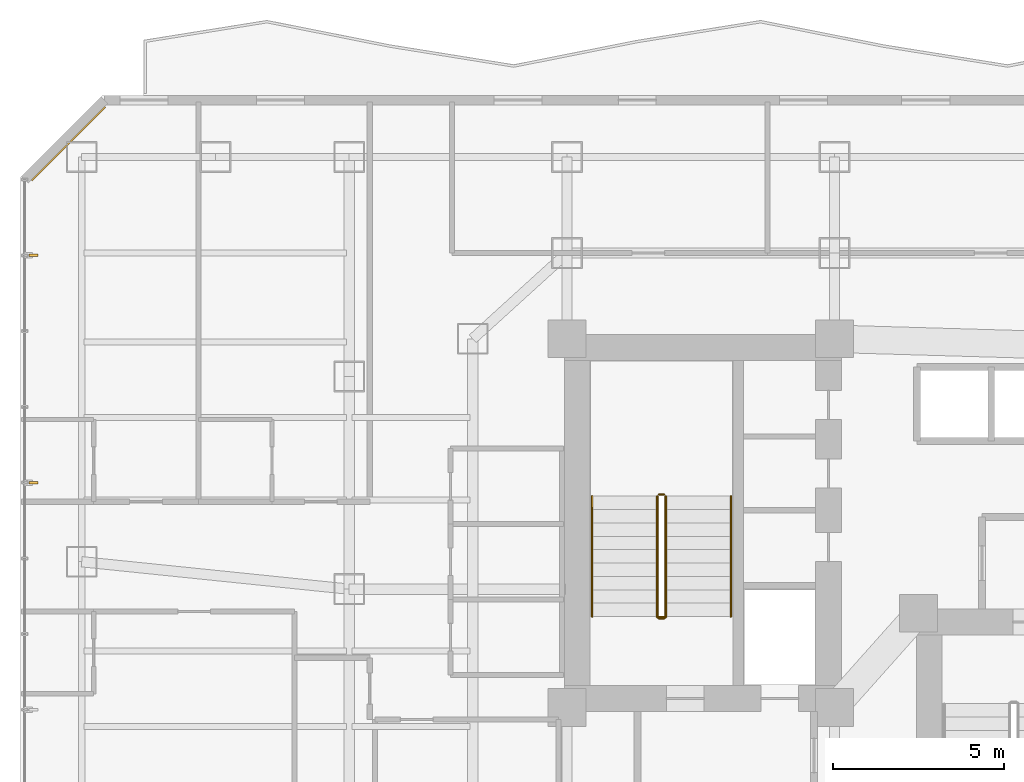
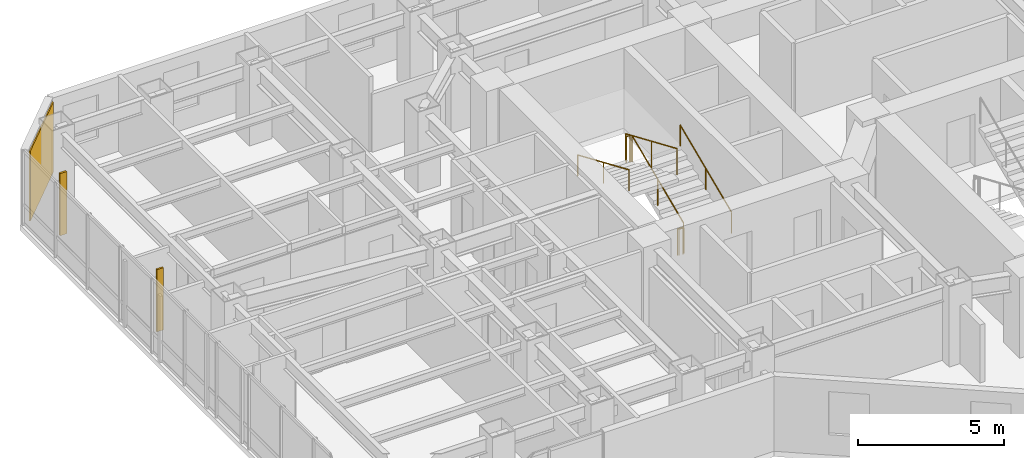
# One storey, part 30 of 31: 7 railings, 2 shading devices, 1 covering.
"""IFC4 building model written with IfcOpenShell, lengths in metres."""

from ifc_helpers import new_model, si_unit, direction, frame, origin, origin_2d, place, context, subcontext, project, spatial, rectangle, circle, extrude, material, layer, layer_set, type_object, element, save


model = new_model("IFC4")

# Units and contexts
model_context = context("Model", 3, precision=1e-05, world=origin(), true_north=direction((0.0, 1.0)))
body_context = subcontext(model_context, "Body", "Model", "MODEL_VIEW")
ifc_project = project(units=[si_unit("LENGTHUNIT", "METRE"), si_unit("AREAUNIT", "SQUARE_METRE"), si_unit("VOLUMEUNIT", "CUBIC_METRE"), si_unit("PLANEANGLEUNIT", "RADIAN"), si_unit("MASSUNIT", "GRAM", prefix="KILO")], contexts=[model_context])

# Site, building, storey
site_placement = place(None, origin())
site = spatial("IfcSite", under=ifc_project, at=site_placement, CompositionType="ELEMENT")
building_placement = place(site_placement, origin())
building = spatial("IfcBuilding", under=site, at=building_placement, Name="Hatsunagi Terrace Concourse", CompositionType="ELEMENT")
storey_placement = place(building_placement, frame((0.0, 0.0, 81.300048828125)))
storey = spatial("IfcBuildingStorey", under=building, at=storey_placement, Name="L21", CompositionType="ELEMENT", Elevation=81.300048828125)

# Railings
ifc_material_1 = material(Name="Stainless steel", Category="steel")
ifc_layer_1 = layer(ifc_material_1, 0.044921875)
ifc_layer_set_1 = layer_set([ifc_layer_1], Name="StairPitchHandrail_Tower2000")
railing_type_1 = type_object("IfcRailingType", Name="StairPitchHandrail_Tower2000", PredefinedType="HANDRAIL", material=ifc_layer_set_1)
railing_1_placement = place(storey_placement, frame((30.330078125, 35.199951171875, 0.16748046875)))
element("IfcRailing", 1, at=railing_1_placement, inside=storey, type_object=railing_type_1, Name="L21 ST-A stair handrail 1", PredefinedType="HANDRAIL", context=body_context, shape_type="SweptSolid", body=[
    extrude(circle(Radius=0.02392578125, at=origin_2d()), frame((0.0, 0.0, 0.8759765625), z_axis=(0.0, 0.918834009242, 0.394644223904), x_axis=(-1.0, 0.0, 0.0)), (0.0, 0.0, 1.0), 3.820068359375),
    extrude(circle(Radius=0.02099609375, at=origin_2d()), origin(), (0.0, 0.0, 1.0), 0.851806640625),
    extrude(circle(Radius=0.02099609375, at=origin_2d()), frame((0.0, 1.7548828125, 0.75390625)), (0.0, 0.0, 1.0), 0.851806640625),
    extrude(circle(Radius=0.02099609375, at=origin_2d()), frame((0.0, 3.510009765625, 1.507568359375)), (0.0, 0.0, 1.0), 0.851806640625),
])
railing_2_placement = place(storey_placement, frame((26.280029296875, 38.7099609375, 1.842529296875)))
element("IfcRailing", 2, at=railing_2_placement, inside=storey, type_object=railing_type_1, Name="L21 ST-A stair handrail 2", PredefinedType="HANDRAIL", context=body_context, shape_type="SweptSolid", body=[
    extrude(circle(Radius=0.02392578125, at=origin_2d()), frame((0.0, 0.0, 0.8759765625), z_axis=(0.0, -0.918857182807, 0.394590265469), x_axis=(1.0, 0.0, 0.0)), (0.0, 0.0, 1.0), 3.820068359375),
    extrude(circle(Radius=0.02099609375, at=origin_2d()), origin(), (0.0, 0.0, 1.0), 0.851806640625),
    extrude(circle(Radius=0.02099609375, at=origin_2d()), frame((0.0, -1.7548828125, 0.753662109375)), (0.0, 0.0, 1.0), 0.851806640625),
    extrude(circle(Radius=0.02099609375, at=origin_2d()), frame((0.0, -3.510009765625, 1.50732421875)), (0.0, 0.0, 1.0), 0.851806640625),
])
ifc_material_2 = material(Name="Stainless steel", Category="steel")
ifc_layer_2 = layer(ifc_material_2, 0.06005859375)
ifc_layer_set_2 = layer_set([ifc_layer_2], Name="StairWellGuard_Tower2000")
railing_type_2 = type_object("IfcRailingType", Name="StairWellGuard_Tower2000", PredefinedType="BALUSTRADE", material=ifc_layer_set_2)
railing_3_placement = place(storey_placement, frame((28.429931640625, 35.199951171875, 0.16748046875)))
element("IfcRailing", 3, at=railing_3_placement, inside=storey, type_object=railing_type_2, Name="L21 ST-A stair guard 1", PredefinedType="BALUSTRADE", context=body_context, shape_type="SweptSolid", body=[
    extrude(circle(Radius=0.02392578125, at=origin_2d()), frame((0.0, 0.0, 1.09619140625), z_axis=(0.0, 0.918834009242, 0.394644223904), x_axis=(-1.0, 0.0, 0.0)), (0.0, 0.0, 1.0), 3.820068359375),
    extrude(circle(Radius=0.02099609375, at=origin_2d()), origin(), (0.0, 0.0, 1.0), 1.072021484375),
    extrude(circle(Radius=0.02099609375, at=origin_2d()), frame((0.0, 1.7548828125, 0.75390625)), (0.0, 0.0, 1.0), 1.072021484375),
    extrude(circle(Radius=0.02099609375, at=origin_2d()), frame((0.0, 3.510009765625, 1.507568359375)), (0.0, 0.0, 1.0), 1.072021484375),
])
railing_4_placement = place(storey_placement, frame((28.3798828125, 38.760009765625, 1.675048828125)))
element("IfcRailing", 4, at=railing_4_placement, inside=storey, type_object=railing_type_2, Name="L21 ST-A stair guard 2", PredefinedType="BALUSTRADE", context=body_context, shape_type="SweptSolid", body=[
    extrude(circle(Radius=0.02392578125, at=origin_2d()), frame((0.0, 0.0, 1.09619140625), z_axis=(-1.0, 0.0, 0.0), x_axis=(0.0, -1.0, 0.0)), (0.0, 0.0, 1.0), 0.14990234375),
    extrude(circle(Radius=0.02099609375, at=origin_2d()), origin(), (0.0, 0.0, 1.0), 1.072021484375),
    extrude(circle(Radius=0.02099609375, at=origin_2d()), frame((-0.14990234375, 0.0, 0.0)), (0.0, 0.0, 1.0), 1.072021484375),
])
railing_5_placement = place(storey_placement, frame((28.179931640625, 38.7099609375, 1.842529296875)))
element("IfcRailing", 5, at=railing_5_placement, inside=storey, type_object=railing_type_2, Name="L21 ST-A stair guard 3", PredefinedType="BALUSTRADE", context=body_context, shape_type="SweptSolid", body=[
    extrude(circle(Radius=0.02392578125, at=origin_2d()), frame((0.0, 0.0, 1.09619140625), z_axis=(0.0, -0.918857182807, 0.394590265469), x_axis=(1.0, 0.0, 0.0)), (0.0, 0.0, 1.0), 3.820068359375),
    extrude(circle(Radius=0.02099609375, at=origin_2d()), origin(), (0.0, 0.0, 1.0), 1.072021484375),
    extrude(circle(Radius=0.02099609375, at=origin_2d()), frame((0.0, -1.7548828125, 0.753662109375)), (0.0, 0.0, 1.0), 1.072021484375),
    extrude(circle(Radius=0.02099609375, at=origin_2d()), frame((0.0, -3.510009765625, 1.50732421875)), (0.0, 0.0, 1.0), 1.072021484375),
])
railing_6_placement = place(storey_placement, frame((28.3798828125, 35.14990234375, 0.0)))
element("IfcRailing", 6, at=railing_6_placement, inside=storey, type_object=railing_type_2, Name="L21 ST-A stair guard 4", PredefinedType="BALUSTRADE", context=body_context, shape_type="SweptSolid", body=[
    extrude(circle(Radius=0.02392578125, at=origin_2d()), frame((0.0, 0.0, 1.09619140625), z_axis=(-1.0, 0.0, 0.0), x_axis=(0.0, -1.0, 0.0)), (0.0, 0.0, 1.0), 0.14990234375),
    extrude(circle(Radius=0.02099609375, at=origin_2d()), origin(), (0.0, 0.0, 1.0), 1.072021484375),
    extrude(circle(Radius=0.02099609375, at=origin_2d()), frame((-0.14990234375, 0.0, 0.0)), (0.0, 0.0, 1.0), 1.072021484375),
])
ifc_material_3 = material(Name="Stainless Steel SUS316 Post-and-Rail Guard", Category="steel")
ifc_layer_3 = layer(ifc_material_3, 0.080078125)
ifc_layer_set_3 = layer_set([ifc_layer_3], Name="TerracePlantedGuardRail_1200")
railing_type_3 = type_object("IfcRailingType", Name="TerracePlantedGuardRail_1200", PredefinedType="GUARDRAIL", material=ifc_layer_set_3)
railing_7_placement = place(storey_placement, frame((28.179931640625, 35.179931640625, 0.0)))
element("IfcRailing", 7, at=railing_7_placement, inside=storey, type_object=railing_type_3, Name="Stair ST-A Well Closure Guard L21", PredefinedType="GUARDRAIL", context=body_context, shape_type="SweptSolid", body=[
    extrude(circle(Radius=0.02392578125, at=origin_2d()), frame((0.0, 0.0, 1.09619140625), z_axis=(1.0, 0.0, 0.0), x_axis=(0.0, 1.0, 0.0)), (0.0, 0.0, 1.0), 0.25),
    extrude(circle(Radius=0.02099609375, at=origin_2d()), origin(), (0.0, 0.0, 1.0), 1.072021484375),
    extrude(circle(Radius=0.02099609375, at=origin_2d()), frame((0.25, 0.0, 0.0)), (0.0, 0.0, 1.0), 1.072021484375),
])

# Shading devices
ifc_material_4 = material(Name="Extruded Unglazed Terracotta Baguette", Category="masonry")
shading_device_type = type_object("IfcShadingDeviceType", Name="TerracottaFinScreen_260x70", PredefinedType="USERDEFINED", material=ifc_material_4)
for number, where, z_axis, x_axis, name in (
    (8, (9.989990234375, 39.10791015625, 0.849853515625), (0.0, 0.0, 1.0), (0.0, 1.0, 0.0), "Terracotta Baguette Fin Screen SCR-01"),
    (9, (9.989990234375, 45.73388671875, 0.849853515625), (0.0, 0.0, 1.0), (0.0, 1.0, 0.0), "Terracotta Baguette Fin Screen SCR-01"),
):
    element("IfcShadingDevice", number, at=place(storey_placement, frame(where, z_axis=z_axis, x_axis=x_axis)), inside=storey, type_object=shading_device_type, Name=name, ObjectType="SUNSHADE", PredefinedType="USERDEFINED", context=body_context, shape_type="SweptSolid", body=[
        extrude(rectangle(XDim=0.070068359375, YDim=0.260009765625, at=origin_2d()), origin(), (0.0, 0.0, 1.0), 2.60009765625),
    ])

# Covering
ifc_material_5 = material(Name="Unglazed Warm Terracotta Rainscreen Tile", Category="masonry")
ifc_layer_4 = layer(ifc_material_5, 0.044921875)
ifc_layer_set_4 = layer_set([ifc_layer_4], Name="TerracottaRainscreenCladding_45")
covering_type = type_object("IfcCoveringType", Name="TerracottaRainscreenCladding_45", PredefinedType="CLADDING", material=ifc_layer_set_4)
covering_placement = place(storey_placement, frame((11.013916015625, 48.986083984375, 0.10009765625), z_axis=(0.0, 0.0, 1.0), x_axis=(0.707106781187, 0.707106781187, 0.0)))
element("IfcCovering", 10, at=covering_placement, inside=storey, type_object=covering_type, Name="Terracotta Rainscreen Cladding L21-10", PredefinedType="CLADDING", context=body_context, shape_type="SweptSolid", body=[
    extrude(rectangle(XDim=3.0380859375, YDim=0.044921875, at=origin_2d()), origin(), (0.0, 0.0, 1.0), 2.929931640625),
])

save(model, "model.ifc")
